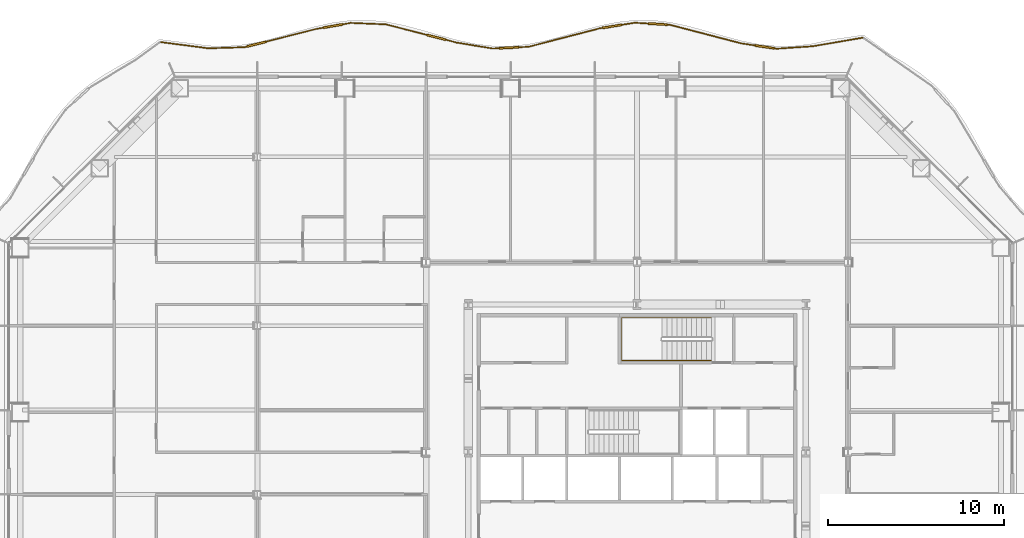
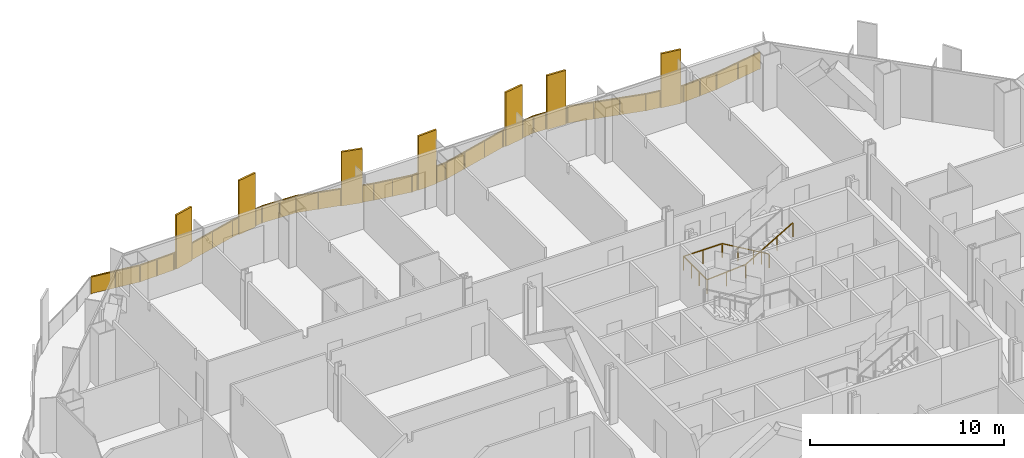
# One storey, part 19 of 20: 2 railings.
"""IFC4 building model written with IfcOpenShell, lengths in metres."""

from ifc_helpers import new_model, si_unit, direction, frame, origin, origin_2d, place, context, subcontext, project, spatial, polyline, rectangle, outline, extrude, material, type_object, element, save


model = new_model("IFC4")

# Units and contexts
model_context = context("Model", 3, precision=1e-05, world=origin(), true_north=direction((0.0, 1.0)))
body_context = subcontext(model_context, "Body", "Model", "MODEL_VIEW")
ifc_project = project(units=[si_unit("LENGTHUNIT", "METRE"), si_unit("AREAUNIT", "SQUARE_METRE"), si_unit("VOLUMEUNIT", "CUBIC_METRE"), si_unit("PLANEANGLEUNIT", "RADIAN"), si_unit("MASSUNIT", "GRAM", prefix="KILO")], contexts=[model_context])

# Site, building, storey
site_placement = place(None, origin())
site = spatial("IfcSite", under=ifc_project, at=site_placement, CompositionType="ELEMENT")
building_placement = place(site_placement, origin())
building = spatial("IfcBuilding", under=site, at=building_placement, Name="Cairn Pilgrim Tower", CompositionType="ELEMENT")
storey_placement = place(building_placement, frame((0.0, 0.0, 61.800048828125)))
storey = spatial("IfcBuildingStorey", under=building, at=storey_placement, Name="L13", CompositionType="ELEMENT", Elevation=61.800048828125)

# Railings
ifc_material_1 = material(Name="Bronze anodised aluminium rail, posts and fin screens with laminated glass infill", Category="aluminium")
railing_type_1 = type_object("IfcRailingType", Name="BALCONY GUARD WITH FIN SCREENS", PredefinedType="GUARDRAIL", material=ifc_material_1)
railing_1_placement = place(storey_placement, frame((20.053466796875, 25.988037109375, 0.0)))
element("IfcRailing", 1, at=railing_1_placement, inside=storey, type_object=railing_type_1, Name="Balcony guard BGF-4 with fin screens", PredefinedType="GUARDRAIL", context=body_context, shape_type="SweptSolid", body=[
    extrude(rectangle(XDim=0.050048828125, YDim=0.050048828125, at=origin_2d()), frame((0.0, 0.0, 1.0751953125), z_axis=(-0.98563467699, -0.168891336413, 0.0), x_axis=(0.168891336413, -0.98563467699, 0.0)), (0.0, 0.0, 1.0), 2.8984375),
    extrude(rectangle(XDim=0.050048828125, YDim=0.050048828125, at=origin_2d()), frame((-2.856689453125, -0.489501953125, 1.0751953125), z_axis=(-0.9976519861, -0.068487331902, 0.0), x_axis=(0.068487331902, -0.9976519861, 0.0)), (0.0, 0.0, 1.0), 2.0498046875),
    extrude(rectangle(XDim=1.10009765625, YDim=0.110107421875, at=origin_2d()), frame((-5.593994140625, -0.525634765625, 0.0), z_axis=(0.0, 0.0, 1.0), x_axis=(-0.988876527794, 0.148738740005, 0.0)), (0.0, 0.0, 1.0), 3.39990234375),
    extrude(rectangle(XDim=0.050048828125, YDim=0.050048828125, at=origin_2d()), frame((-4.901611328125, -0.6298828125, 1.0751953125), z_axis=(-0.988876527794, 0.148738740005, 0.0), x_axis=(-0.148738740005, -0.988876527794, 0.0)), (0.0, 0.0, 1.0), 0.150146484375),
    extrude(rectangle(XDim=0.050048828125, YDim=0.050048828125, at=origin_2d()), frame((-6.137939453125, -0.44384765625, 1.0751953125), z_axis=(-0.988876527794, 0.148738740005, 0.0), x_axis=(-0.148738740005, -0.988876527794, 0.0)), (0.0, 0.0, 1.0), 0.818115234375),
    extrude(rectangle(XDim=0.050048828125, YDim=0.050048828125, at=origin_2d()), frame((-6.94677734375, -0.322265625, 1.0751953125), z_axis=(-0.967662638043, 0.252247931478, 0.0), x_axis=(-0.252247931478, -0.967662638043, 0.0)), (0.0, 0.0, 1.0), 4.17041015625),
    extrude(rectangle(XDim=1.10009765625, YDim=0.110107421875, at=origin_2d()), frame((-11.68115234375, 0.771240234375, 0.0), z_axis=(0.0, 0.0, 1.0), x_axis=(-0.998241702589, 0.05927481095, 0.0)), (0.0, 0.0, 1.0), 3.39990234375),
    extrude(rectangle(XDim=0.050048828125, YDim=0.050048828125, at=origin_2d()), frame((-10.982421875, 0.729736328125, 1.0751953125), z_axis=(-0.998241702589, 0.05927481095, 0.0), x_axis=(-0.05927481095, -0.998241702589, 0.0)), (0.0, 0.0, 1.0), 0.14990234375),
    extrude(rectangle(XDim=0.050048828125, YDim=0.050048828125, at=origin_2d()), frame((-12.230224609375, 0.8037109375, 1.0751953125), z_axis=(-0.998241702589, 0.05927481095, 0.0), x_axis=(-0.05927481095, -0.998241702589, 0.0)), (0.0, 0.0, 1.0), 0.74365234375),
    extrude(rectangle(XDim=1.10009765625, YDim=0.110107421875, at=origin_2d()), frame((-14.279052734375, 0.640869140625, 0.0), z_axis=(0.0, 0.0, 1.0), x_axis=(-0.987689457194, -0.156427414949, 0.0)), (0.0, 0.0, 1.0), 3.39990234375),
    extrude(rectangle(XDim=0.050048828125, YDim=0.050048828125, at=origin_2d()), frame((-12.972412109375, 0.847900390625, 1.0751953125), z_axis=(-0.987689457194, -0.156427414949, 0.0), x_axis=(0.156427414949, -0.987689457194, 0.0)), (0.0, 0.0, 1.0), 0.77294921875),
    extrude(rectangle(XDim=0.050048828125, YDim=0.050048828125, at=origin_2d()), frame((-14.822265625, 0.554931640625, 1.0751953125), z_axis=(-0.987689457194, -0.156427414949, 0.0), x_axis=(0.156427414949, -0.987689457194, 0.0)), (0.0, 0.0, 1.0), 0.14990234375),
    extrude(rectangle(XDim=0.050048828125, YDim=0.050048828125, at=origin_2d()), frame((-14.97021484375, 0.531494140625, 1.0751953125), z_axis=(-0.968051479953, -0.250751534713, 0.0), x_axis=(0.250751534713, -0.968051479953, 0.0)), (0.0, 0.0, 1.0), 4.18359375),
    extrude(rectangle(XDim=1.10009765625, YDim=0.110107421875, at=origin_2d()), frame((-20.136962890625, -0.573486328125, 0.0), z_axis=(0.0, 0.0, 1.0), x_axis=(-0.998748484548, -0.050014643987, 0.0)), (0.0, 0.0, 1.0), 3.39990234375),
    extrude(rectangle(XDim=0.050048828125, YDim=0.050048828125, at=origin_2d()), frame((-19.020263671875, -0.517578125, 1.0751953125), z_axis=(-0.998748484548, -0.050014643987, 0.0), x_axis=(0.050014643987, -0.998748484548, 0.0)), (0.0, 0.0, 1.0), 0.568115234375),
    extrude(rectangle(XDim=0.050048828125, YDim=0.050048828125, at=origin_2d()), frame((-20.686279296875, -0.60107421875, 1.0751953125), z_axis=(-0.998748484548, -0.050014643987, 0.0), x_axis=(0.050014643987, -0.998748484548, 0.0)), (0.0, 0.0, 1.0), 0.386962890625),
    extrude(rectangle(XDim=0.050048828125, YDim=0.050048828125, at=origin_2d()), frame((-21.07275390625, -0.620361328125, 1.0751953125), z_axis=(-0.986467097373, 0.16395934191, 0.0), x_axis=(-0.16395934191, -0.986467097373, 0.0)), (0.0, 0.0, 1.0), 2.0712890625),
    extrude(rectangle(XDim=1.10009765625, YDim=0.110107421875, at=origin_2d()), frame((-24.273681640625, 0.016845703125, 0.0), z_axis=(0.0, 0.0, 1.0), x_axis=(-0.968492932597, 0.249041039811, 0.0)), (0.0, 0.0, 1.0), 3.39990234375),
    extrude(rectangle(XDim=0.050048828125, YDim=0.050048828125, at=origin_2d()), frame((-23.115966796875, -0.28076171875, 1.0751953125), z_axis=(-0.968492932597, 0.249041039811, 0.0), x_axis=(-0.249041039811, -0.968492932597, 0.0)), (0.0, 0.0, 1.0), 0.6455078125),
    extrude(rectangle(XDim=0.050048828125, YDim=0.050048828125, at=origin_2d()), frame((-24.806396484375, 0.15380859375, 1.0751953125), z_axis=(-0.968492932597, 0.249041039811, 0.0), x_axis=(-0.249041039811, -0.968492932597, 0.0)), (0.0, 0.0, 1.0), 2.4189453125),
    extrude(rectangle(XDim=0.050048828125, YDim=0.050048828125, at=origin_2d()), frame((-27.149169921875, 0.75634765625, 1.0751953125), z_axis=(-0.999170702724, 0.040717401903, 0.0), x_axis=(-0.040717401903, -0.999170702724, 0.0)), (0.0, 0.0, 1.0), 1.99072265625),
    extrude(rectangle(XDim=1.10009765625, YDim=0.110107421875, at=origin_2d()), frame((-30.157470703125, 0.66015625, 0.0), z_axis=(0.0, 0.0, 1.0), x_axis=(-0.9852223465, -0.171280261435, 0.0)), (0.0, 0.0, 1.0), 3.39990234375),
    extrude(rectangle(XDim=0.050048828125, YDim=0.050048828125, at=origin_2d()), frame((-29.13818359375, 0.83740234375, 1.0751953125), z_axis=(-0.9852223465, -0.171280261435, 0.0), x_axis=(0.171280261435, -0.9852223465, 0.0)), (0.0, 0.0, 1.0), 0.484619140625),
    extrude(rectangle(XDim=0.050048828125, YDim=0.050048828125, at=origin_2d()), frame((-30.69921875, 0.56591796875, 1.0751953125), z_axis=(-0.9852223465, -0.171280261435, 0.0), x_axis=(0.171280261435, -0.9852223465, 0.0)), (0.0, 0.0, 1.0), 0.445068359375),
    extrude(rectangle(XDim=1.10009765625, YDim=0.110107421875, at=origin_2d()), frame((-34.511962890625, -0.37060546875, 0.0), z_axis=(0.0, 0.0, 1.0), x_axis=(-0.968998642038, -0.247066047301, 0.0)), (0.0, 0.0, 1.0), 3.39990234375),
    extrude(rectangle(XDim=0.050048828125, YDim=0.050048828125, at=origin_2d()), frame((-31.137939453125, 0.48974609375, 1.0751953125), z_axis=(-0.968998642038, -0.247066047301, 0.0), x_axis=(0.247066047301, -0.968998642038, 0.0)), (0.0, 0.0, 1.0), 2.93212890625),
    extrude(rectangle(XDim=0.050048828125, YDim=0.050048828125, at=origin_2d()), frame((-35.044921875, -0.50634765625, 1.0751953125), z_axis=(-0.968998642038, -0.247066047301, 0.0), x_axis=(0.247066047301, -0.968998642038, 0.0)), (0.0, 0.0, 1.0), 0.14990234375),
    extrude(rectangle(XDim=0.050048828125, YDim=0.050048828125, at=origin_2d()), frame((-35.190185546875, -0.54345703125, 1.0751953125), z_axis=(-0.999509633759, -0.031312809253, 0.0), x_axis=(0.031312809253, -0.999509633759, 0.0)), (0.0, 0.0, 1.0), 2.050537109375),
    extrude(rectangle(XDim=0.050048828125, YDim=0.050048828125, at=origin_2d()), frame((-37.23974609375, -0.607666015625, 1.0751953125), z_axis=(-0.99158290283, 0.129473344035, 0.0), x_axis=(-0.129473344035, -0.99158290283, 0.0)), (0.0, 0.0, 1.0), 2.722900390625),
    extrude(rectangle(XDim=0.050048828125, YDim=0.050048828125, at=origin_2d()), origin(), (0.0, 0.0, 1.0), 1.050048828125),
    extrude(rectangle(XDim=0.050048828125, YDim=0.050048828125, at=origin_2d()), frame((-1.42822265625, -0.244873046875, 0.0)), (0.0, 0.0, 1.0), 1.050048828125),
    extrude(rectangle(XDim=0.050048828125, YDim=0.050048828125, at=origin_2d()), frame((-2.856689453125, -0.489501953125, 0.0)), (0.0, 0.0, 1.0), 1.050048828125),
    extrude(rectangle(XDim=0.050048828125, YDim=0.050048828125, at=origin_2d()), frame((-3.879150390625, -0.5595703125, 0.0)), (0.0, 0.0, 1.0), 1.050048828125),
    extrude(rectangle(XDim=0.050048828125, YDim=0.050048828125, at=origin_2d()), frame((-4.901611328125, -0.6298828125, 0.0)), (0.0, 0.0, 1.0), 1.050048828125),
    extrude(rectangle(XDim=0.050048828125, YDim=0.050048828125, at=origin_2d()), frame((-5.025390625, -0.611328125, 0.0)), (0.0, 0.0, 1.0), 1.050048828125),
    extrude(rectangle(XDim=0.050048828125, YDim=0.050048828125, at=origin_2d()), frame((-6.16259765625, -0.440185546875, 0.0)), (0.0, 0.0, 1.0), 1.050048828125),
    extrude(rectangle(XDim=0.050048828125, YDim=0.050048828125, at=origin_2d()), frame((-6.94677734375, -0.322265625, 0.0)), (0.0, 0.0, 1.0), 1.050048828125),
    extrude(rectangle(XDim=0.050048828125, YDim=0.050048828125, at=origin_2d()), frame((-8.2919921875, 0.0283203125, 0.0)), (0.0, 0.0, 1.0), 1.050048828125),
    extrude(rectangle(XDim=0.050048828125, YDim=0.050048828125, at=origin_2d()), frame((-9.63720703125, 0.379150390625, 0.0)), (0.0, 0.0, 1.0), 1.050048828125),
    extrude(rectangle(XDim=0.050048828125, YDim=0.050048828125, at=origin_2d()), frame((-10.982421875, 0.729736328125, 0.0)), (0.0, 0.0, 1.0), 1.050048828125),
    extrude(rectangle(XDim=0.050048828125, YDim=0.050048828125, at=origin_2d()), frame((-11.107177734375, 0.737060546875, 0.0)), (0.0, 0.0, 1.0), 1.050048828125),
    extrude(rectangle(XDim=0.050048828125, YDim=0.050048828125, at=origin_2d()), frame((-12.255126953125, 0.805419921875, 0.0)), (0.0, 0.0, 1.0), 1.050048828125),
    extrude(rectangle(XDim=0.050048828125, YDim=0.050048828125, at=origin_2d()), frame((-12.972412109375, 0.847900390625, 0.0)), (0.0, 0.0, 1.0), 1.050048828125),
    extrude(rectangle(XDim=0.050048828125, YDim=0.050048828125, at=origin_2d()), frame((-13.7109375, 0.73095703125, 0.0)), (0.0, 0.0, 1.0), 1.050048828125),
    extrude(rectangle(XDim=0.050048828125, YDim=0.050048828125, at=origin_2d()), frame((-14.846923828125, 0.551025390625, 0.0)), (0.0, 0.0, 1.0), 1.050048828125),
    extrude(rectangle(XDim=0.050048828125, YDim=0.050048828125, at=origin_2d()), frame((-14.97021484375, 0.531494140625, 0.0)), (0.0, 0.0, 1.0), 1.050048828125),
    extrude(rectangle(XDim=0.050048828125, YDim=0.050048828125, at=origin_2d()), frame((-16.3203125, 0.181884765625, 0.0)), (0.0, 0.0, 1.0), 1.050048828125),
    extrude(rectangle(XDim=0.050048828125, YDim=0.050048828125, at=origin_2d()), frame((-17.670166015625, -0.16796875, 0.0)), (0.0, 0.0, 1.0), 1.050048828125),
    extrude(rectangle(XDim=0.050048828125, YDim=0.050048828125, at=origin_2d()), frame((-19.020263671875, -0.517578125, 0.0)), (0.0, 0.0, 1.0), 1.050048828125),
    extrude(rectangle(XDim=0.050048828125, YDim=0.050048828125, at=origin_2d()), frame((-19.562744140625, -0.544677734375, 0.0)), (0.0, 0.0, 1.0), 1.050048828125),
    extrude(rectangle(XDim=0.050048828125, YDim=0.050048828125, at=origin_2d()), frame((-20.71142578125, -0.602294921875, 0.0)), (0.0, 0.0, 1.0), 1.050048828125),
    extrude(rectangle(XDim=0.050048828125, YDim=0.050048828125, at=origin_2d()), frame((-21.07275390625, -0.620361328125, 0.0)), (0.0, 0.0, 1.0), 1.050048828125),
    extrude(rectangle(XDim=0.050048828125, YDim=0.050048828125, at=origin_2d()), frame((-22.09423828125, -0.45068359375, 0.0)), (0.0, 0.0, 1.0), 1.050048828125),
    extrude(rectangle(XDim=0.050048828125, YDim=0.050048828125, at=origin_2d()), frame((-23.115966796875, -0.28076171875, 0.0)), (0.0, 0.0, 1.0), 1.050048828125),
    extrude(rectangle(XDim=0.050048828125, YDim=0.050048828125, at=origin_2d()), frame((-23.716796875, -0.126220703125, 0.0)), (0.0, 0.0, 1.0), 1.050048828125),
    extrude(rectangle(XDim=0.050048828125, YDim=0.050048828125, at=origin_2d()), frame((-24.83056640625, 0.16015625, 0.0)), (0.0, 0.0, 1.0), 1.050048828125),
    extrude(rectangle(XDim=0.050048828125, YDim=0.050048828125, at=origin_2d()), frame((-25.989990234375, 0.458251953125, 0.0)), (0.0, 0.0, 1.0), 1.050048828125),
    extrude(rectangle(XDim=0.050048828125, YDim=0.050048828125, at=origin_2d()), frame((-27.149169921875, 0.75634765625, 0.0)), (0.0, 0.0, 1.0), 1.050048828125),
    extrude(rectangle(XDim=0.050048828125, YDim=0.050048828125, at=origin_2d()), frame((-28.1435546875, 0.796875, 0.0)), (0.0, 0.0, 1.0), 1.050048828125),
    extrude(rectangle(XDim=0.050048828125, YDim=0.050048828125, at=origin_2d()), frame((-29.13818359375, 0.83740234375, 0.0)), (0.0, 0.0, 1.0), 1.050048828125),
    extrude(rectangle(XDim=0.050048828125, YDim=0.050048828125, at=origin_2d()), frame((-29.5908203125, 0.7587890625, 0.0)), (0.0, 0.0, 1.0), 1.050048828125),
    extrude(rectangle(XDim=0.050048828125, YDim=0.050048828125, at=origin_2d()), frame((-30.723876953125, 0.561767578125, 0.0)), (0.0, 0.0, 1.0), 1.050048828125),
    extrude(rectangle(XDim=0.050048828125, YDim=0.050048828125, at=origin_2d()), frame((-31.137939453125, 0.48974609375, 0.0)), (0.0, 0.0, 1.0), 1.050048828125),
    extrude(rectangle(XDim=0.050048828125, YDim=0.050048828125, at=origin_2d()), frame((-32.54638671875, 0.130615234375, 0.0)), (0.0, 0.0, 1.0), 1.050048828125),
    extrude(rectangle(XDim=0.050048828125, YDim=0.050048828125, at=origin_2d()), frame((-33.954833984375, -0.228515625, 0.0)), (0.0, 0.0, 1.0), 1.050048828125),
    extrude(rectangle(XDim=0.050048828125, YDim=0.050048828125, at=origin_2d()), frame((-35.069091796875, -0.5126953125, 0.0)), (0.0, 0.0, 1.0), 1.050048828125),
    extrude(rectangle(XDim=0.050048828125, YDim=0.050048828125, at=origin_2d()), frame((-35.190185546875, -0.54345703125, 0.0)), (0.0, 0.0, 1.0), 1.050048828125),
    extrude(rectangle(XDim=0.050048828125, YDim=0.050048828125, at=origin_2d()), frame((-36.21484375, -0.57568359375, 0.0)), (0.0, 0.0, 1.0), 1.050048828125),
    extrude(rectangle(XDim=0.050048828125, YDim=0.050048828125, at=origin_2d()), frame((-37.23974609375, -0.607666015625, 0.0)), (0.0, 0.0, 1.0), 1.050048828125),
    extrude(rectangle(XDim=0.050048828125, YDim=0.050048828125, at=origin_2d()), frame((-38.58984375, -0.431396484375, 0.0)), (0.0, 0.0, 1.0), 1.050048828125),
    extrude(rectangle(XDim=0.050048828125, YDim=0.050048828125, at=origin_2d()), frame((-39.939697265625, -0.255126953125, 0.0)), (0.0, 0.0, 1.0), 1.050048828125),
    extrude(outline(polyline([(0.02490234375, 0.0), (1.424072265625, 0.0), (1.424072265625, 1.050048828125), (0.02490234375, 1.050048828125), (0.02490234375, 0.0)])), frame((0.0009765625, -0.005859375, 0.0), z_axis=(-0.168891336413, 0.98563467699, 0.0), x_axis=(-0.98563467699, -0.168891336413, 0.0)), (0.0, 0.0, 1.0), 0.011962890625),
    extrude(outline(polyline([(0.02490234375, 0.0), (1.424072265625, 0.0), (1.424072265625, 1.050048828125), (0.02490234375, 1.050048828125), (0.02490234375, 0.0)])), frame((-1.42724609375, -0.250732421875, 0.0), z_axis=(-0.168891336413, 0.98563467699, 0.0), x_axis=(-0.98563467699, -0.168891336413, 0.0)), (0.0, 0.0, 1.0), 0.011962890625),
    extrude(outline(polyline([(0.02490234375, 0.0), (0.999755859375, 0.0), (0.999755859375, 1.050048828125), (0.02490234375, 1.050048828125), (0.02490234375, 0.0)])), frame((-2.856201171875, -0.495361328125, 0.0), z_axis=(-0.068487331902, 0.9976519861, 0.0), x_axis=(-0.9976519861, -0.068487331902, 0.0)), (0.0, 0.0, 1.0), 0.011962890625),
    extrude(outline(polyline([(0.02490234375, 0.0), (0.999755859375, 0.0), (0.999755859375, 1.050048828125), (0.02490234375, 1.050048828125), (0.02490234375, 0.0)])), frame((-3.878662109375, -0.565673828125, 0.0), z_axis=(-0.068487331902, 0.9976519861, 0.0), x_axis=(-0.9976519861, -0.068487331902, 0.0)), (0.0, 0.0, 1.0), 0.011962890625),
    extrude(outline(polyline([(0.02490234375, 0.0), (0.10009765625, 0.0), (0.10009765625, 1.050048828125), (0.02490234375, 1.050048828125), (0.02490234375, 0.0)])), frame((-4.902587890625, -0.6357421875, 0.0), z_axis=(0.148738740005, 0.988876527794, 0.0), x_axis=(-0.988876527794, 0.148738740005, 0.0)), (0.0, 0.0, 1.0), 0.011962890625),
    extrude(outline(polyline([(0.02490234375, 0.0), (0.76806640625, 0.0), (0.76806640625, 1.050048828125), (0.02490234375, 1.050048828125), (0.02490234375, 0.0)])), frame((-6.16357421875, -0.446044921875, 0.0), z_axis=(0.148738740005, 0.988876527794, 0.0), x_axis=(-0.988876527794, 0.148738740005, 0.0)), (0.0, 0.0, 1.0), 0.011962890625),
    extrude(outline(polyline([(0.02490234375, 0.0), (1.365234375, 0.0), (1.365234375, 1.050048828125), (0.02490234375, 1.050048828125), (0.02490234375, 0.0)])), frame((-6.9482421875, -0.328125, 0.0), z_axis=(0.252247931478, 0.967662638043, 0.0), x_axis=(-0.967662638043, 0.252247931478, 0.0)), (0.0, 0.0, 1.0), 0.011962890625),
    extrude(outline(polyline([(0.02490234375, 0.0), (1.365234375, 0.0), (1.365234375, 1.050048828125), (0.02490234375, 1.050048828125), (0.02490234375, 0.0)])), frame((-8.29345703125, 0.022705078125, 0.0), z_axis=(0.252247931478, 0.967662638043, 0.0), x_axis=(-0.967662638043, 0.252247931478, 0.0)), (0.0, 0.0, 1.0), 0.011962890625),
    extrude(outline(polyline([(0.02490234375, 0.0), (1.365234375, 0.0), (1.365234375, 1.050048828125), (0.02490234375, 1.050048828125), (0.02490234375, 0.0)])), frame((-9.638671875, 0.373291015625, 0.0), z_axis=(0.252247931478, 0.967662638043, 0.0), x_axis=(-0.967662638043, 0.252247931478, 0.0)), (0.0, 0.0, 1.0), 0.011962890625),
    extrude(outline(polyline([(0.02490234375, 0.0), (0.099853515625, 0.0), (0.099853515625, 1.050048828125), (0.02490234375, 1.050048828125), (0.02490234375, 0.0)])), frame((-10.982666015625, 0.723876953125, 0.0), z_axis=(0.05927481095, 0.998241702589, 0.0), x_axis=(-0.998241702589, 0.05927481095, 0.0)), (0.0, 0.0, 1.0), 0.011962890625),
    extrude(outline(polyline([(0.02490234375, 0.0), (0.693603515625, 0.0), (0.693603515625, 1.050048828125), (0.02490234375, 1.050048828125), (0.02490234375, 0.0)])), frame((-12.255615234375, 0.79931640625, 0.0), z_axis=(0.05927481095, 0.998241702589, 0.0), x_axis=(-0.998241702589, 0.05927481095, 0.0)), (0.0, 0.0, 1.0), 0.011962890625),
    extrude(outline(polyline([(0.02490234375, 0.0), (0.722900390625, 0.0), (0.722900390625, 1.050048828125), (0.02490234375, 1.050048828125), (0.02490234375, 0.0)])), frame((-12.971435546875, 0.842041015625, 0.0), z_axis=(-0.156427414949, 0.987689457194, 0.0), x_axis=(-0.987689457194, -0.156427414949, 0.0)), (0.0, 0.0, 1.0), 0.011962890625),
    extrude(outline(polyline([(0.02490234375, 0.0), (0.099853515625, 0.0), (0.099853515625, 1.050048828125), (0.02490234375, 1.050048828125), (0.02490234375, 0.0)])), frame((-14.845947265625, 0.545166015625, 0.0), z_axis=(-0.156427414949, 0.987689457194, 0.0), x_axis=(-0.987689457194, -0.156427414949, 0.0)), (0.0, 0.0, 1.0), 0.011962890625),
    extrude(outline(polyline([(0.02490234375, 0.0), (1.36962890625, 0.0), (1.36962890625, 1.050048828125), (0.02490234375, 1.050048828125), (0.02490234375, 0.0)])), frame((-14.96875, 0.525634765625, 0.0), z_axis=(-0.250751534713, 0.968051479953, 0.0), x_axis=(-0.968051479953, -0.250751534713, 0.0)), (0.0, 0.0, 1.0), 0.011962890625),
    extrude(outline(polyline([(0.02490234375, 0.0), (1.36962890625, 0.0), (1.36962890625, 1.050048828125), (0.02490234375, 1.050048828125), (0.02490234375, 0.0)])), frame((-16.31884765625, 0.176025390625, 0.0), z_axis=(-0.250751534713, 0.968051479953, 0.0), x_axis=(-0.968051479953, -0.250751534713, 0.0)), (0.0, 0.0, 1.0), 0.011962890625),
    extrude(outline(polyline([(0.02490234375, 0.0), (1.36962890625, 0.0), (1.36962890625, 1.050048828125), (0.02490234375, 1.050048828125), (0.02490234375, 0.0)])), frame((-17.668701171875, -0.173583984375, 0.0), z_axis=(-0.250751534713, 0.968051479953, 0.0), x_axis=(-0.968051479953, -0.250751534713, 0.0)), (0.0, 0.0, 1.0), 0.011962890625),
    extrude(outline(polyline([(0.02490234375, 0.0), (0.51806640625, 0.0), (0.51806640625, 1.050048828125), (0.02490234375, 1.050048828125), (0.02490234375, 0.0)])), frame((-19.02001953125, -0.5234375, 0.0), z_axis=(-0.050014643987, 0.998748484548, 0.0), x_axis=(-0.998748484548, -0.050014643987, 0.0)), (0.0, 0.0, 1.0), 0.011962890625),
    extrude(outline(polyline([(0.02490234375, 0.0), (0.3369140625, 0.0), (0.3369140625, 1.050048828125), (0.02490234375, 1.050048828125), (0.02490234375, 0.0)])), frame((-20.7109375, -0.608154296875, 0.0), z_axis=(-0.050014643987, 0.998748484548, 0.0), x_axis=(-0.998748484548, -0.050014643987, 0.0)), (0.0, 0.0, 1.0), 0.011962890625),
    extrude(outline(polyline([(0.02490234375, 0.0), (1.010498046875, 0.0), (1.010498046875, 1.050048828125), (0.02490234375, 1.050048828125), (0.02490234375, 0.0)])), frame((-21.07373046875, -0.626220703125, 0.0), z_axis=(0.16395934191, 0.986467097373, 0.0), x_axis=(-0.986467097373, 0.16395934191, 0.0)), (0.0, 0.0, 1.0), 0.011962890625),
    extrude(outline(polyline([(0.02490234375, 0.0), (1.010498046875, 0.0), (1.010498046875, 1.050048828125), (0.02490234375, 1.050048828125), (0.02490234375, 0.0)])), frame((-22.095458984375, -0.45654296875, 0.0), z_axis=(0.16395934191, 0.986467097373, 0.0), x_axis=(-0.986467097373, 0.16395934191, 0.0)), (0.0, 0.0, 1.0), 0.011962890625),
    extrude(outline(polyline([(0.02490234375, 0.0), (0.595458984375, 0.0), (0.595458984375, 1.050048828125), (0.02490234375, 1.050048828125), (0.02490234375, 0.0)])), frame((-23.117431640625, -0.28662109375, 0.0), z_axis=(0.249041039811, 0.968492932597, 0.0), x_axis=(-0.968492932597, 0.249041039811, 0.0)), (0.0, 0.0, 1.0), 0.011962890625),
    extrude(outline(polyline([(0.02490234375, 0.0), (1.171875, 0.0), (1.171875, 1.050048828125), (0.02490234375, 1.050048828125), (0.02490234375, 0.0)])), frame((-24.83203125, 0.154296875, 0.0), z_axis=(0.249041039811, 0.968492932597, 0.0), x_axis=(-0.968492932597, 0.249041039811, 0.0)), (0.0, 0.0, 1.0), 0.011962890625),
    extrude(outline(polyline([(0.02490234375, 0.0), (1.171875, 0.0), (1.171875, 1.050048828125), (0.02490234375, 1.050048828125), (0.02490234375, 0.0)])), frame((-25.991455078125, 0.452392578125, 0.0), z_axis=(0.249041039811, 0.968492932597, 0.0), x_axis=(-0.968492932597, 0.249041039811, 0.0)), (0.0, 0.0, 1.0), 0.011962890625),
    extrude(outline(polyline([(0.02490234375, 0.0), (0.97021484375, 0.0), (0.97021484375, 1.050048828125), (0.02490234375, 1.050048828125), (0.02490234375, 0.0)])), frame((-27.1494140625, 0.75048828125, 0.0), z_axis=(0.040717401903, 0.999170702724, 0.0), x_axis=(-0.999170702724, 0.040717401903, 0.0)), (0.0, 0.0, 1.0), 0.011962890625),
    extrude(outline(polyline([(0.02490234375, 0.0), (0.97021484375, 0.0), (0.97021484375, 1.050048828125), (0.02490234375, 1.050048828125), (0.02490234375, 0.0)])), frame((-28.143798828125, 0.791015625, 0.0), z_axis=(0.040717401903, 0.999170702724, 0.0), x_axis=(-0.999170702724, 0.040717401903, 0.0)), (0.0, 0.0, 1.0), 0.011962890625),
    extrude(outline(polyline([(0.02490234375, 0.0), (0.4345703125, 0.0), (0.4345703125, 1.050048828125), (0.02490234375, 1.050048828125), (0.02490234375, 0.0)])), frame((-29.13720703125, 0.83154296875, 0.0), z_axis=(-0.171280261435, 0.9852223465, 0.0), x_axis=(-0.9852223465, -0.171280261435, 0.0)), (0.0, 0.0, 1.0), 0.011962890625),
    extrude(outline(polyline([(0.02490234375, 0.0), (0.39501953125, 0.0), (0.39501953125, 1.050048828125), (0.02490234375, 1.050048828125), (0.02490234375, 0.0)])), frame((-30.722900390625, 0.555908203125, 0.0), z_axis=(-0.171280261435, 0.9852223465, 0.0), x_axis=(-0.9852223465, -0.171280261435, 0.0)), (0.0, 0.0, 1.0), 0.011962890625),
    extrude(outline(polyline([(0.02490234375, 0.0), (1.428466796875, 0.0), (1.428466796875, 1.050048828125), (0.02490234375, 1.050048828125), (0.02490234375, 0.0)])), frame((-31.136474609375, 0.48388671875, 0.0), z_axis=(-0.247066047301, 0.968998642038, 0.0), x_axis=(-0.968998642038, -0.247066047301, 0.0)), (0.0, 0.0, 1.0), 0.011962890625),
    extrude(outline(polyline([(0.02490234375, 0.0), (1.428466796875, 0.0), (1.428466796875, 1.050048828125), (0.02490234375, 1.050048828125), (0.02490234375, 0.0)])), frame((-32.544921875, 0.124755859375, 0.0), z_axis=(-0.247066047301, 0.968998642038, 0.0), x_axis=(-0.968998642038, -0.247066047301, 0.0)), (0.0, 0.0, 1.0), 0.011962890625),
    extrude(outline(polyline([(0.02490234375, 0.0), (0.099853515625, 0.0), (0.099853515625, 1.050048828125), (0.02490234375, 1.050048828125), (0.02490234375, 0.0)])), frame((-35.067626953125, -0.518310546875, 0.0), z_axis=(-0.247066047301, 0.968998642038, 0.0), x_axis=(-0.968998642038, -0.247066047301, 0.0)), (0.0, 0.0, 1.0), 0.011962890625),
    extrude(outline(polyline([(0.02490234375, 0.0), (1.000244140625, 0.0), (1.000244140625, 1.050048828125), (0.02490234375, 1.050048828125), (0.02490234375, 0.0)])), frame((-35.18994140625, -0.54931640625, 0.0), z_axis=(-0.031312809253, 0.999509633759, 0.0), x_axis=(-0.999509633759, -0.031312809253, 0.0)), (0.0, 0.0, 1.0), 0.011962890625),
    extrude(outline(polyline([(0.02490234375, 0.0), (1.000244140625, 0.0), (1.000244140625, 1.050048828125), (0.02490234375, 1.050048828125), (0.02490234375, 0.0)])), frame((-36.21484375, -0.58154296875, 0.0), z_axis=(-0.031312809253, 0.999509633759, 0.0), x_axis=(-0.999509633759, -0.031312809253, 0.0)), (0.0, 0.0, 1.0), 0.011962890625),
    extrude(outline(polyline([(0.02490234375, 0.0), (1.33642578125, 0.0), (1.33642578125, 1.050048828125), (0.02490234375, 1.050048828125), (0.02490234375, 0.0)])), frame((-37.240478515625, -0.613525390625, 0.0), z_axis=(0.129473344035, 0.99158290283, 0.0), x_axis=(-0.99158290283, 0.129473344035, 0.0)), (0.0, 0.0, 1.0), 0.011962890625),
    extrude(outline(polyline([(0.02490234375, 0.0), (1.33642578125, 0.0), (1.33642578125, 1.050048828125), (0.02490234375, 1.050048828125), (0.02490234375, 0.0)])), frame((-38.590576171875, -0.437255859375, 0.0), z_axis=(0.129473344035, 0.99158290283, 0.0), x_axis=(-0.99158290283, 0.129473344035, 0.0)), (0.0, 0.0, 1.0), 0.011962890625),
])
ifc_material_2 = material(Name="Painted steel", Category="steel")
railing_type_2 = type_object("IfcRailingType", Name="STAIR HANDRAIL 900", PredefinedType="HANDRAIL", material=ifc_material_2)
railing_2_placement = place(storey_placement, frame((11.425048828125, 10.050048828125, 0.16357421875)))
element("IfcRailing", 2, at=railing_2_placement, inside=storey, type_object=railing_type_2, Name="L13 ST-C stair handrail 1", PredefinedType="HANDRAIL", context=body_context, shape_type="SweptSolid", body=[
    extrude(rectangle(XDim=0.048095703125, YDim=0.048095703125, at=origin_2d()), frame((0.0, 0.0, 0.8759765625), z_axis=(-0.863360870873, 0.0, 0.504586966384), x_axis=(0.0, -1.0, 0.0)), (0.0, 0.0, 1.0), 3.2431640625),
    extrude(rectangle(XDim=0.048095703125, YDim=0.048095703125, at=origin_2d()), frame((-2.800048828125, 0.0, 2.51220703125), z_axis=(-1.0, 0.0, 0.0), x_axis=(0.0, -1.0, 0.0)), (0.0, 0.0, 1.0), 2.300048828125),
    extrude(rectangle(XDim=0.048095703125, YDim=0.048095703125, at=origin_2d()), frame((-5.10009765625, 0.0, 2.51220703125), z_axis=(0.0, -1.0, 0.0), x_axis=(1.0, 0.0, 0.0)), (0.0, 0.0, 1.0), 2.425048828125),
    extrude(rectangle(XDim=0.048095703125, YDim=0.048095703125, at=origin_2d()), frame((-5.10009765625, -2.425048828125, 2.51220703125), z_axis=(0.997480687736, 0.0, 0.070938548008), x_axis=(0.0, 1.0, 0.0)), (0.0, 0.0, 1.0), 2.305908203125),
    extrude(rectangle(XDim=0.048095703125, YDim=0.048095703125, at=origin_2d()), frame((-2.800048828125, -2.425048828125, 2.67578125), z_axis=(0.863393664356, 0.0, 0.504530851732), x_axis=(0.0, 1.0, 0.0)), (0.0, 0.0, 1.0), 3.2431640625),
    extrude(rectangle(XDim=0.0419921875, YDim=0.0419921875, at=origin_2d()), origin(), (0.0, 0.0, 1.0), 0.851806640625),
    extrude(rectangle(XDim=0.0419921875, YDim=0.0419921875, at=origin_2d()), frame((-0.933349609375, 0.0, 0.54541015625)), (0.0, 0.0, 1.0), 0.851806640625),
    extrude(rectangle(XDim=0.0419921875, YDim=0.0419921875, at=origin_2d()), frame((-1.86669921875, 0.0, 1.091064453125)), (0.0, 0.0, 1.0), 0.851806640625),
    extrude(rectangle(XDim=0.0419921875, YDim=0.0419921875, at=origin_2d()), frame((-2.800048828125, 0.0, 1.636474609375)), (0.0, 0.0, 1.0), 0.851806640625),
    extrude(rectangle(XDim=0.0419921875, YDim=0.0419921875, at=origin_2d()), frame((-3.9501953125, 0.0, 1.636474609375)), (0.0, 0.0, 1.0), 0.851806640625),
    extrude(rectangle(XDim=0.0419921875, YDim=0.0419921875, at=origin_2d()), frame((-5.10009765625, 0.0, 1.636474609375)), (0.0, 0.0, 1.0), 0.851806640625),
    extrude(rectangle(XDim=0.0419921875, YDim=0.0419921875, at=origin_2d()), frame((-5.10009765625, -0.808349609375, 1.636474609375)), (0.0, 0.0, 1.0), 0.851806640625),
    extrude(rectangle(XDim=0.0419921875, YDim=0.0419921875, at=origin_2d()), frame((-5.10009765625, -1.61669921875, 1.636474609375)), (0.0, 0.0, 1.0), 0.851806640625),
    extrude(rectangle(XDim=0.0419921875, YDim=0.0419921875, at=origin_2d()), frame((-5.10009765625, -2.425048828125, 1.636474609375)), (0.0, 0.0, 1.0), 0.851806640625),
    extrude(rectangle(XDim=0.0419921875, YDim=0.0419921875, at=origin_2d()), frame((-3.9501953125, -2.425048828125, 1.71826171875)), (0.0, 0.0, 1.0), 0.851806640625),
    extrude(rectangle(XDim=0.0419921875, YDim=0.0419921875, at=origin_2d()), frame((-2.800048828125, -2.425048828125, 1.800048828125)), (0.0, 0.0, 1.0), 0.851806640625),
    extrude(rectangle(XDim=0.0419921875, YDim=0.0419921875, at=origin_2d()), frame((-1.86669921875, -2.425048828125, 2.345458984375)), (0.0, 0.0, 1.0), 0.851806640625),
    extrude(rectangle(XDim=0.0419921875, YDim=0.0419921875, at=origin_2d()), frame((-0.933349609375, -2.425048828125, 2.890869140625)), (0.0, 0.0, 1.0), 0.851806640625),
    extrude(rectangle(XDim=0.0419921875, YDim=0.0419921875, at=origin_2d()), frame((0.0, -2.425048828125, 3.436279296875)), (0.0, 0.0, 1.0), 0.851806640625),
])

save(model, "model.ifc")
